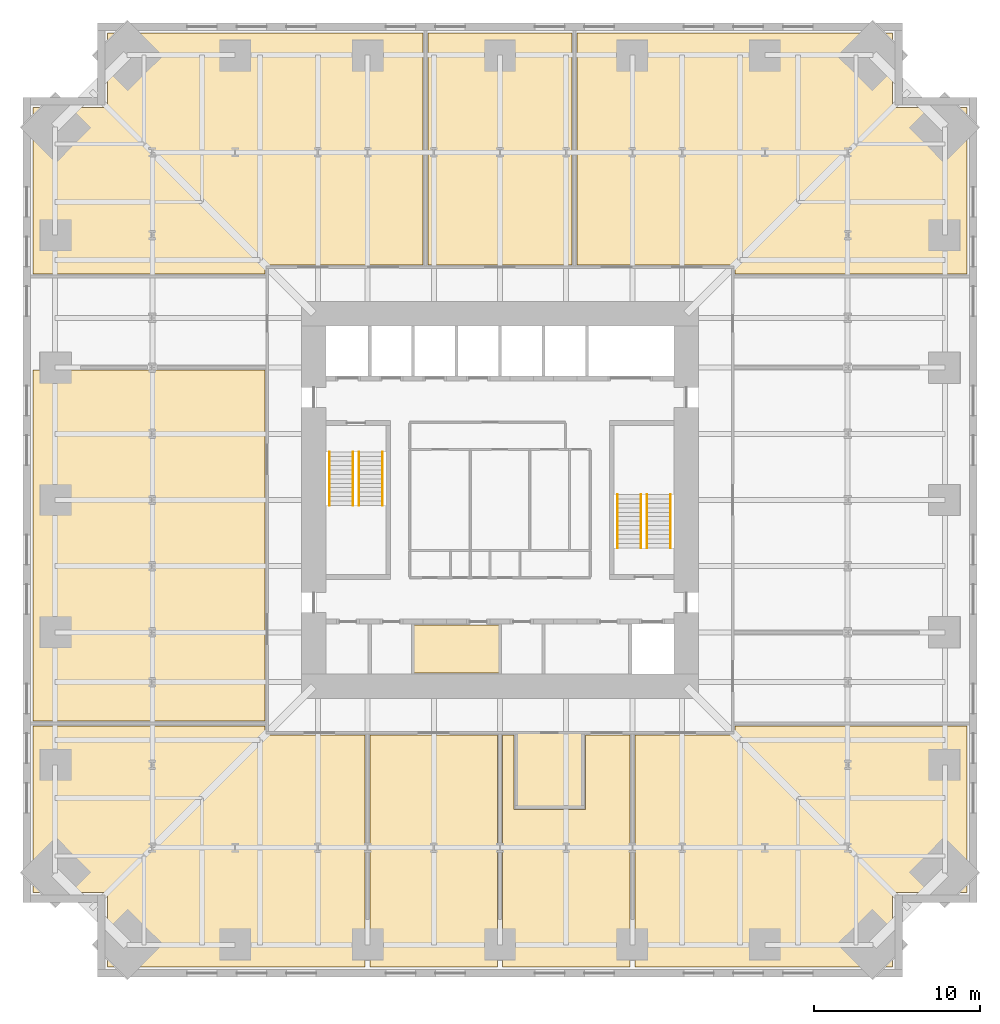
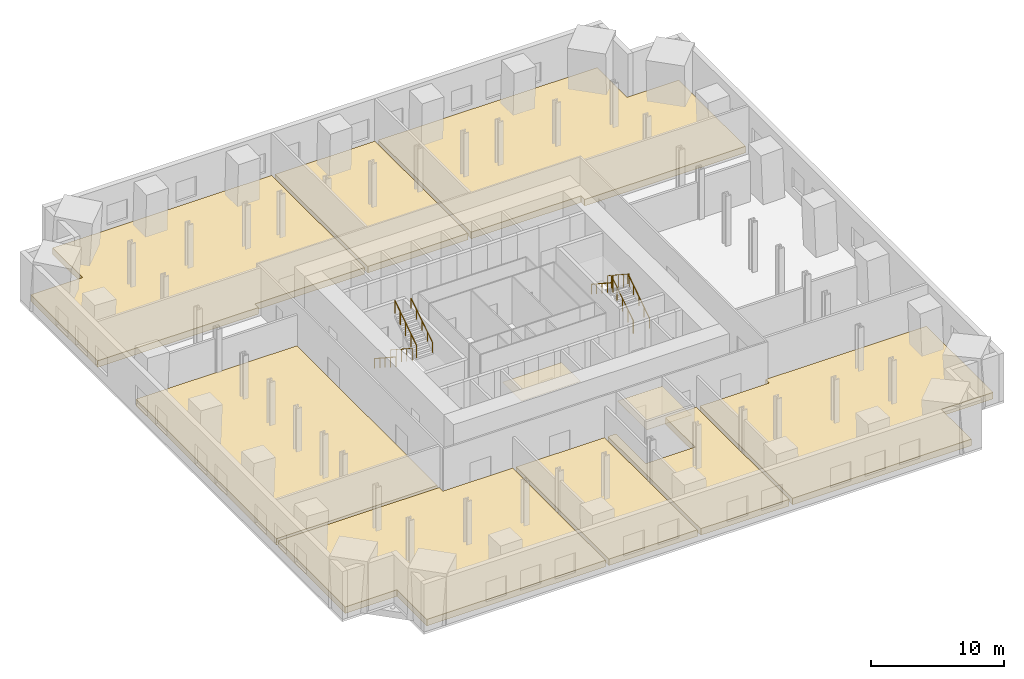
# One storey, part 9 of 9: 10 coverings, 8 railings.
"""IFC4 building model written with IfcOpenShell, lengths in metres."""

from ifc_helpers import new_model, si_unit, direction, frame, origin, origin_2d, place, context, subcontext, project, spatial, polyline, circle, outline, extrude, material, layer, layer_set, type_object, element, save


model = new_model("IFC4")

# Units and contexts
model_context = context("Model", 3, precision=1e-05, world=origin(), true_north=direction((0.0, 1.0)))
body_context = subcontext(model_context, "Body", "Model", "MODEL_VIEW")
ifc_project = project(units=[si_unit("LENGTHUNIT", "METRE"), si_unit("AREAUNIT", "SQUARE_METRE"), si_unit("VOLUMEUNIT", "CUBIC_METRE"), si_unit("PLANEANGLEUNIT", "RADIAN"), si_unit("MASSUNIT", "GRAM", prefix="KILO")], contexts=[model_context])

# Site, building, storey
site_placement = place(None, origin())
site = spatial("IfcSite", under=ifc_project, at=site_placement, CompositionType="ELEMENT")
building_placement = place(site_placement, origin())
building = spatial("IfcBuilding", under=site, at=building_placement, Name="Peilmerk Tower", CompositionType="ELEMENT")
storey_placement = place(building_placement, frame((0.0, 0.0, 99.800048828125)))
storey = spatial("IfcBuildingStorey", under=building, at=storey_placement, Name="L19", CompositionType="ELEMENT", Elevation=99.800048828125)

# Coverings
ifc_material_1 = material(Name="Mineral fibre ceiling tiles", Category="mineral")
ifc_layer_1 = layer(ifc_material_1, 0.02490234375)
ifc_layer_set_1 = layer_set([ifc_layer_1], Name="Mineral fibre ceiling tiles")
covering_type_1 = type_object("IfcCoveringType", Name="CL1 25 suspended ceiling", PredefinedType="CEILING", material=ifc_layer_set_1)
covering_1_placement = place(storey_placement, frame((0.0, 0.0, 3.474853515625)))
element("IfcCovering", 1, at=covering_1_placement, inside=storey, type_object=covering_type_1, Name="Suspended ceiling Operations office", PredefinedType="CEILING", context=body_context, shape_type="SweptSolid", body=[
    extrude(outline(polyline([(4.949951171875, -18.5), (4.949951171875, -14.10009765625), (1.050048828125, -14.10009765625), (1.050048828125, -18.5), (4.949951171875, -18.5)])), origin(), (0.0, 0.0, 1.0), 0.025146484375),
])
covering_2_placement = place(storey_placement, frame((0.0, 0.0, 3.425048828125)))
element("IfcCovering", 2, at=covering_2_placement, inside=storey, type_object=covering_type_1, Name="Suspended ceiling Back-of-house office", PredefinedType="CEILING", context=body_context, shape_type="SweptSolid", body=[
    extrude(outline(polyline([(-5.198974609375, -10.448974609375), (-0.051025390625, -10.448974609375), (-0.051025390625, -7.551025390625), (-5.198974609375, -7.551025390625), (-5.198974609375, -10.448974609375)])), origin(), (0.0, 0.0, 1.0), 0.02490234375),
])

# Railings
ifc_material_2 = material(Name="Steel flat bar balustrade", Category="steel")
railing_type_1 = type_object("IfcRailingType", Name="GR1 1200 stair guard", PredefinedType="GUARDRAIL", material=ifc_material_2)
railing_1_placement = place(storey_placement, frame((-8.8798828125, 2.89990234375, 0.1767578125)))
element("IfcRailing", 3, at=railing_1_placement, inside=storey, type_object=railing_type_1, Name="Guard stair 1 L19", PredefinedType="GUARDRAIL", context=body_context, shape_type="SweptSolid", body=[
    extrude(circle(Radius=0.02392578125, at=origin_2d()), frame((0.0, 0.0, 1.17578125), z_axis=(0.0, -0.836397365415, 0.548123569212), x_axis=(1.0, 0.0, 0.0)), (0.0, 0.0, 1.0), 3.873779296875),
    extrude(circle(Radius=0.02099609375, at=origin_2d()), origin(), (0.0, 0.0, 1.0), 1.15185546875),
    extrude(circle(Radius=0.02099609375, at=origin_2d()), frame((0.0, -0.81005859375, 0.53076171875)), (0.0, 0.0, 1.0), 1.15185546875),
    extrude(circle(Radius=0.02099609375, at=origin_2d()), frame((0.0, -1.6201171875, 1.0615234375)), (0.0, 0.0, 1.0), 1.15185546875),
    extrude(circle(Radius=0.02099609375, at=origin_2d()), frame((0.0, -2.429931640625, 1.592529296875)), (0.0, 0.0, 1.0), 1.15185546875),
    extrude(circle(Radius=0.02099609375, at=origin_2d()), frame((0.0, -3.239990234375, 2.123291015625)), (0.0, 0.0, 1.0), 1.15185546875),
])
railing_2_placement = place(storey_placement, frame((-8.52001953125, -0.340087890625, 2.476806640625)))
element("IfcRailing", 4, at=railing_2_placement, inside=storey, type_object=railing_type_1, Name="Guard stair 1 L19", PredefinedType="GUARDRAIL", context=body_context, shape_type="SweptSolid", body=[
    extrude(circle(Radius=0.02392578125, at=origin_2d()), frame((0.0, 0.0, 1.17578125), z_axis=(0.0, 0.836426258751, 0.548079477514), x_axis=(-1.0, 0.0, 0.0)), (0.0, 0.0, 1.0), 3.87353515625),
    extrude(circle(Radius=0.02099609375, at=origin_2d()), origin(), (0.0, 0.0, 1.0), 1.15185546875),
    extrude(circle(Radius=0.02099609375, at=origin_2d()), frame((0.0, 0.81005859375, 0.53076171875)), (0.0, 0.0, 1.0), 1.15185546875),
    extrude(circle(Radius=0.02099609375, at=origin_2d()), frame((0.0, 1.6201171875, 1.0615234375)), (0.0, 0.0, 1.0), 1.15185546875),
    extrude(circle(Radius=0.02099609375, at=origin_2d()), frame((0.0, 2.429931640625, 1.59228515625)), (0.0, 0.0, 1.0), 1.15185546875),
    extrude(circle(Radius=0.02099609375, at=origin_2d()), frame((0.0, 3.239990234375, 2.123046875)), (0.0, 0.0, 1.0), 1.15185546875),
])
railing_3_placement = place(storey_placement, frame((8.8798828125, -2.89990234375, 0.1767578125)))
element("IfcRailing", 5, at=railing_3_placement, inside=storey, type_object=railing_type_1, Name="Guard stair 2 L19", PredefinedType="GUARDRAIL", context=body_context, shape_type="SweptSolid", body=[
    extrude(circle(Radius=0.02392578125, at=origin_2d()), frame((0.0, 0.0, 1.17578125), z_axis=(0.0, 0.836397365415, 0.548123569212), x_axis=(-1.0, 0.0, 0.0)), (0.0, 0.0, 1.0), 3.873779296875),
    extrude(circle(Radius=0.02099609375, at=origin_2d()), origin(), (0.0, 0.0, 1.0), 1.15185546875),
    extrude(circle(Radius=0.02099609375, at=origin_2d()), frame((0.0, 0.81005859375, 0.53076171875)), (0.0, 0.0, 1.0), 1.15185546875),
    extrude(circle(Radius=0.02099609375, at=origin_2d()), frame((0.0, 1.6201171875, 1.0615234375)), (0.0, 0.0, 1.0), 1.15185546875),
    extrude(circle(Radius=0.02099609375, at=origin_2d()), frame((0.0, 2.429931640625, 1.592529296875)), (0.0, 0.0, 1.0), 1.15185546875),
    extrude(circle(Radius=0.02099609375, at=origin_2d()), frame((0.0, 3.239990234375, 2.123291015625)), (0.0, 0.0, 1.0), 1.15185546875),
])
railing_4_placement = place(storey_placement, frame((8.52001953125, 0.340087890625, 2.476806640625)))
element("IfcRailing", 6, at=railing_4_placement, inside=storey, type_object=railing_type_1, Name="Guard stair 2 L19", PredefinedType="GUARDRAIL", context=body_context, shape_type="SweptSolid", body=[
    extrude(circle(Radius=0.02392578125, at=origin_2d()), frame((0.0, 0.0, 1.17578125), z_axis=(0.0, -0.836426258751, 0.548079477514), x_axis=(1.0, 0.0, 0.0)), (0.0, 0.0, 1.0), 3.87353515625),
    extrude(circle(Radius=0.02099609375, at=origin_2d()), origin(), (0.0, 0.0, 1.0), 1.15185546875),
    extrude(circle(Radius=0.02099609375, at=origin_2d()), frame((0.0, -0.81005859375, 0.53076171875)), (0.0, 0.0, 1.0), 1.15185546875),
    extrude(circle(Radius=0.02099609375, at=origin_2d()), frame((0.0, -1.6201171875, 1.0615234375)), (0.0, 0.0, 1.0), 1.15185546875),
    extrude(circle(Radius=0.02099609375, at=origin_2d()), frame((0.0, -2.429931640625, 1.59228515625)), (0.0, 0.0, 1.0), 1.15185546875),
    extrude(circle(Radius=0.02099609375, at=origin_2d()), frame((0.0, -3.239990234375, 2.123046875)), (0.0, 0.0, 1.0), 1.15185546875),
])
ifc_material_3 = material(Name="Stainless steel tube", Category="steel")
railing_type_2 = type_object("IfcRailingType", Name="HR1 900 stair handrail", PredefinedType="HANDRAIL", material=ifc_material_3)
railing_5_placement = place(storey_placement, frame((-10.300048828125, 2.89990234375, 0.1767578125)))
element("IfcRailing", 7, at=railing_5_placement, inside=storey, type_object=railing_type_2, Name="Handrail stair 1 L19", PredefinedType="HANDRAIL", context=body_context, shape_type="SweptSolid", body=[
    extrude(circle(Radius=0.02392578125, at=origin_2d()), frame((0.0, 0.0, 0.8759765625), z_axis=(0.0, -0.836397365415, 0.548123569212), x_axis=(1.0, 0.0, 0.0)), (0.0, 0.0, 1.0), 3.873779296875),
    extrude(circle(Radius=0.02099609375, at=origin_2d()), origin(), (0.0, 0.0, 1.0), 0.851806640625),
    extrude(circle(Radius=0.02099609375, at=origin_2d()), frame((0.0, -0.81005859375, 0.53076171875)), (0.0, 0.0, 1.0), 0.851806640625),
    extrude(circle(Radius=0.02099609375, at=origin_2d()), frame((0.0, -1.6201171875, 1.0615234375)), (0.0, 0.0, 1.0), 0.851806640625),
    extrude(circle(Radius=0.02099609375, at=origin_2d()), frame((0.0, -2.429931640625, 1.592529296875)), (0.0, 0.0, 1.0), 0.851806640625),
    extrude(circle(Radius=0.02099609375, at=origin_2d()), frame((0.0, -3.239990234375, 2.123291015625)), (0.0, 0.0, 1.0), 0.851806640625),
])
railing_6_placement = place(storey_placement, frame((-7.10009765625, -0.340087890625, 2.476806640625)))
element("IfcRailing", 8, at=railing_6_placement, inside=storey, type_object=railing_type_2, Name="Handrail stair 1 L19", PredefinedType="HANDRAIL", context=body_context, shape_type="SweptSolid", body=[
    extrude(circle(Radius=0.02392578125, at=origin_2d()), frame((0.0, 0.0, 0.8759765625), z_axis=(0.0, 0.836426258751, 0.548079477514), x_axis=(-1.0, 0.0, 0.0)), (0.0, 0.0, 1.0), 3.87353515625),
    extrude(circle(Radius=0.02099609375, at=origin_2d()), origin(), (0.0, 0.0, 1.0), 0.851806640625),
    extrude(circle(Radius=0.02099609375, at=origin_2d()), frame((0.0, 0.81005859375, 0.53076171875)), (0.0, 0.0, 1.0), 0.851806640625),
    extrude(circle(Radius=0.02099609375, at=origin_2d()), frame((0.0, 1.6201171875, 1.0615234375)), (0.0, 0.0, 1.0), 0.851806640625),
    extrude(circle(Radius=0.02099609375, at=origin_2d()), frame((0.0, 2.429931640625, 1.59228515625)), (0.0, 0.0, 1.0), 0.851806640625),
    extrude(circle(Radius=0.02099609375, at=origin_2d()), frame((0.0, 3.239990234375, 2.123046875)), (0.0, 0.0, 1.0), 0.851806640625),
])
railing_7_placement = place(storey_placement, frame((10.300048828125, -2.89990234375, 0.1767578125)))
element("IfcRailing", 9, at=railing_7_placement, inside=storey, type_object=railing_type_2, Name="Handrail stair 2 L19", PredefinedType="HANDRAIL", context=body_context, shape_type="SweptSolid", body=[
    extrude(circle(Radius=0.02392578125, at=origin_2d()), frame((0.0, 0.0, 0.8759765625), z_axis=(0.0, 0.836397365415, 0.548123569212), x_axis=(-1.0, 0.0, 0.0)), (0.0, 0.0, 1.0), 3.873779296875),
    extrude(circle(Radius=0.02099609375, at=origin_2d()), origin(), (0.0, 0.0, 1.0), 0.851806640625),
    extrude(circle(Radius=0.02099609375, at=origin_2d()), frame((0.0, 0.81005859375, 0.53076171875)), (0.0, 0.0, 1.0), 0.851806640625),
    extrude(circle(Radius=0.02099609375, at=origin_2d()), frame((0.0, 1.6201171875, 1.0615234375)), (0.0, 0.0, 1.0), 0.851806640625),
    extrude(circle(Radius=0.02099609375, at=origin_2d()), frame((0.0, 2.429931640625, 1.592529296875)), (0.0, 0.0, 1.0), 0.851806640625),
    extrude(circle(Radius=0.02099609375, at=origin_2d()), frame((0.0, 3.239990234375, 2.123291015625)), (0.0, 0.0, 1.0), 0.851806640625),
])
railing_8_placement = place(storey_placement, frame((7.10009765625, 0.340087890625, 2.476806640625)))
element("IfcRailing", 10, at=railing_8_placement, inside=storey, type_object=railing_type_2, Name="Handrail stair 2 L19", PredefinedType="HANDRAIL", context=body_context, shape_type="SweptSolid", body=[
    extrude(circle(Radius=0.02392578125, at=origin_2d()), frame((0.0, 0.0, 0.8759765625), z_axis=(0.0, -0.836426258751, 0.548079477514), x_axis=(1.0, 0.0, 0.0)), (0.0, 0.0, 1.0), 3.87353515625),
    extrude(circle(Radius=0.02099609375, at=origin_2d()), origin(), (0.0, 0.0, 1.0), 0.851806640625),
    extrude(circle(Radius=0.02099609375, at=origin_2d()), frame((0.0, -0.81005859375, 0.53076171875)), (0.0, 0.0, 1.0), 0.851806640625),
    extrude(circle(Radius=0.02099609375, at=origin_2d()), frame((0.0, -1.6201171875, 1.0615234375)), (0.0, 0.0, 1.0), 0.851806640625),
    extrude(circle(Radius=0.02099609375, at=origin_2d()), frame((0.0, -2.429931640625, 1.59228515625)), (0.0, 0.0, 1.0), 0.851806640625),
    extrude(circle(Radius=0.02099609375, at=origin_2d()), frame((0.0, -3.239990234375, 2.123046875)), (0.0, 0.0, 1.0), 0.851806640625),
])

# Coverings
ifc_material_4 = material(Name="Steel raised access floor panels on pedestals", Category="steel")
ifc_layer_2 = layer(ifc_material_4, 0.60009765625)
ifc_layer_set_2 = layer_set([ifc_layer_2], Name="Steel raised access floor panels on pedestals")
covering_type_2 = type_object("IfcCoveringType", Name="RF1 600 raised access floor", PredefinedType="FLOORING", material=ifc_layer_set_2)
covering_3_placement = place(storey_placement, origin())
element("IfcCovering", 11, at=covering_3_placement, inside=storey, type_object=covering_type_2, Name="Raised access floor Telecom equipment room A", PredefinedType="FLOORING", context=body_context, shape_type="SweptSolid", body=[
    extrude(outline(polyline([(-28.199951171875, 23.699951171875), (-28.199951171875, 13.64990234375), (-14.199951171875, 13.64990234375), (-14.199951171875, 14.199951171875), (-4.64990234375, 14.199951171875), (-4.64990234375, 28.199951171875), (-23.699951171875, 28.199951171875), (-23.699951171875, 23.699951171875), (-28.199951171875, 23.699951171875)])), origin(), (0.0, 0.0, 1.0), 0.599853515625),
])
covering_4_placement = place(storey_placement, origin())
element("IfcCovering", 12, at=covering_4_placement, inside=storey, type_object=covering_type_2, Name="Raised access floor Telecom equipment room B", PredefinedType="FLOORING", context=body_context, shape_type="SweptSolid", body=[
    extrude(outline(polyline([(4.35009765625, 28.199951171875), (-4.35009765625, 28.199951171875), (-4.35009765625, 14.199951171875), (4.35009765625, 14.199951171875), (4.35009765625, 28.199951171875)])), origin(), (0.0, 0.0, 1.0), 0.599853515625),
])
covering_5_placement = place(storey_placement, origin())
element("IfcCovering", 13, at=covering_5_placement, inside=storey, type_object=covering_type_2, Name="Raised access floor Telecom equipment room C", PredefinedType="FLOORING", context=body_context, shape_type="SweptSolid", body=[
    extrude(outline(polyline([(23.699951171875, 28.199951171875), (4.64990234375, 28.199951171875), (4.64990234375, 14.199951171875), (14.199951171875, 14.199951171875), (14.199951171875, 13.64990234375), (28.199951171875, 13.64990234375), (28.199951171875, 23.699951171875), (23.699951171875, 23.699951171875), (23.699951171875, 28.199951171875)])), origin(), (0.0, 0.0, 1.0), 0.599853515625),
])
covering_6_placement = place(storey_placement, origin())
element("IfcCovering", 14, at=covering_6_placement, inside=storey, type_object=covering_type_2, Name="Raised access floor Telecom equipment room D", PredefinedType="FLOORING", context=body_context, shape_type="SweptSolid", body=[
    extrude(outline(polyline([(-23.699951171875, -28.199951171875), (-8.14990234375, -28.199951171875), (-8.14990234375, -14.199951171875), (-14.199951171875, -14.199951171875), (-14.199951171875, -13.64990234375), (-28.199951171875, -13.64990234375), (-28.199951171875, -23.699951171875), (-23.699951171875, -23.699951171875), (-23.699951171875, -28.199951171875)])), origin(), (0.0, 0.0, 1.0), 0.599853515625),
])
covering_7_placement = place(storey_placement, origin())
element("IfcCovering", 15, at=covering_7_placement, inside=storey, type_object=covering_type_2, Name="Raised access floor Transmission room A", PredefinedType="FLOORING", context=body_context, shape_type="SweptSolid", body=[
    extrude(outline(polyline([(-7.85009765625, -28.199951171875), (-0.14990234375, -28.199951171875), (-0.14990234375, -14.199951171875), (-7.85009765625, -14.199951171875), (-7.85009765625, -28.199951171875)])), origin(), (0.0, 0.0, 1.0), 0.599853515625),
])
covering_8_placement = place(storey_placement, origin())
element("IfcCovering", 16, at=covering_8_placement, inside=storey, type_object=covering_type_2, Name="Raised access floor Transmission room B", PredefinedType="FLOORING", context=body_context, shape_type="SweptSolid", body=[
    extrude(outline(polyline([(0.14990234375, -14.199951171875), (0.14990234375, -28.199951171875), (7.85009765625, -28.199951171875), (7.85009765625, -14.199951171875), (5.14990234375, -14.199951171875), (5.14990234375, -18.699951171875), (0.85009765625, -18.699951171875), (0.85009765625, -14.199951171875), (0.14990234375, -14.199951171875)])), origin(), (0.0, 0.0, 1.0), 0.599853515625),
])
covering_9_placement = place(storey_placement, origin())
element("IfcCovering", 17, at=covering_9_placement, inside=storey, type_object=covering_type_2, Name="Raised access floor Telecom equipment room E", PredefinedType="FLOORING", context=body_context, shape_type="SweptSolid", body=[
    extrude(outline(polyline([(8.14990234375, -28.199951171875), (23.699951171875, -28.199951171875), (23.699951171875, -23.699951171875), (28.199951171875, -23.699951171875), (28.199951171875, -13.64990234375), (14.199951171875, -13.64990234375), (14.199951171875, -14.199951171875), (8.14990234375, -14.199951171875), (8.14990234375, -28.199951171875)])), origin(), (0.0, 0.0, 1.0), 0.599853515625),
])
covering_10_placement = place(storey_placement, origin())
element("IfcCovering", 18, at=covering_10_placement, inside=storey, type_object=covering_type_2, Name="Raised access floor Network room", PredefinedType="FLOORING", context=body_context, shape_type="SweptSolid", body=[
    extrude(outline(polyline([(-28.199951171875, 7.85009765625), (-28.199951171875, -13.35009765625), (-14.199951171875, -13.35009765625), (-14.199951171875, 7.85009765625), (-28.199951171875, 7.85009765625)])), origin(), (0.0, 0.0, 1.0), 0.599853515625),
])

save(model, "model.ifc")
